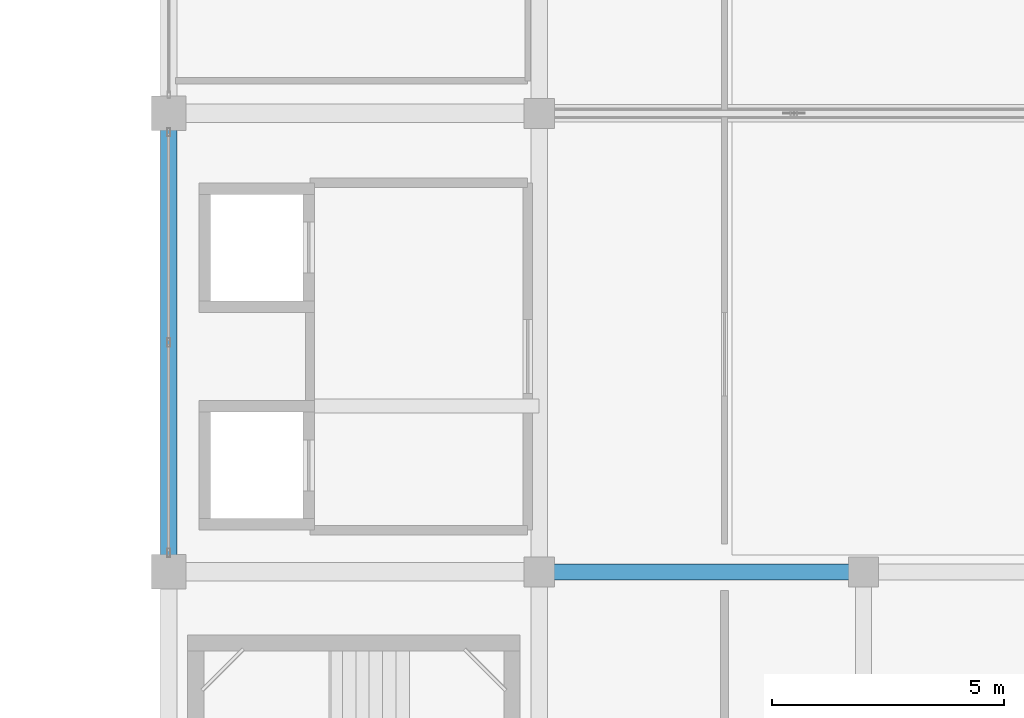
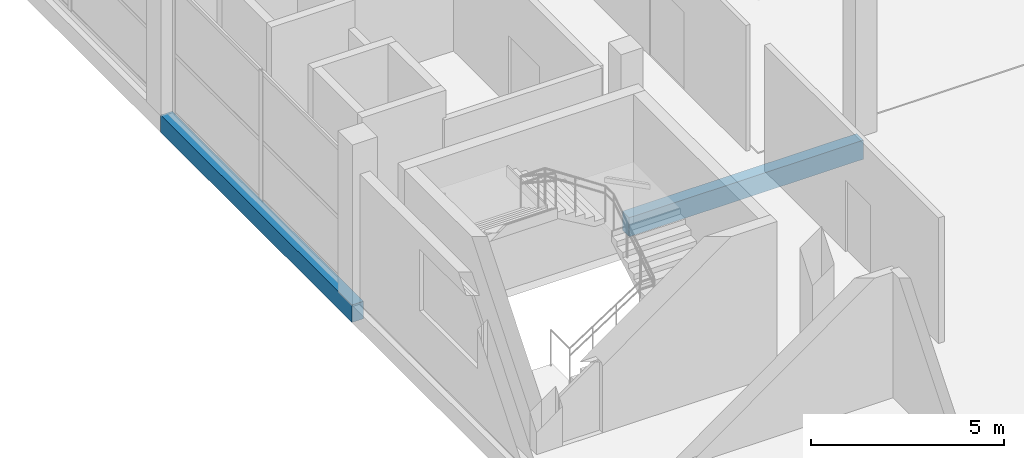
# One storey, part 7 of 67: 2 beams.
"""IFC4 building model written with IfcOpenShell, lengths in metres."""

from ifc_helpers import new_model, si_unit, direction, frame, origin, origin_2d, place, context, subcontext, project, spatial, rectangle, extrude, material, material_profile, profile_set, type_object, element, save


model = new_model("IFC4")

# Units and contexts
model_context = context("Model", 3, precision=1e-05, world=origin(), true_north=direction((0.0, 1.0)))
body_context = subcontext(model_context, "Body", "Model", "MODEL_VIEW")
ifc_project = project(units=[si_unit("LENGTHUNIT", "METRE"), si_unit("AREAUNIT", "SQUARE_METRE"), si_unit("VOLUMEUNIT", "CUBIC_METRE"), si_unit("PLANEANGLEUNIT", "RADIAN"), si_unit("MASSUNIT", "GRAM", prefix="KILO")], contexts=[model_context])

# Site, building, storey
site_placement = place(None, origin())
site = spatial("IfcSite", under=ifc_project, at=site_placement, CompositionType="ELEMENT")
building_placement = place(site_placement, origin())
building = spatial("IfcBuilding", under=site, at=building_placement, Name="Sillaruma Civic Art Gallery", CompositionType="ELEMENT")
storey_placement = place(building_placement, frame((0.0, 0.0, 46.919921875)))
storey = spatial("IfcBuildingStorey", under=building, at=storey_placement, Name="L09", CompositionType="ELEMENT", Elevation=46.919921875)

# Beams
ifc_material = material(Name="Concrete H35 (35 MPa)", Category="concrete")
ifc_material_profile_1 = material_profile(ifc_material, rectangle(XDim=0.35009765625, YDim=0.60009765625, at=origin_2d()), Name="RCB350x600")
ifc_profile_set_1 = profile_set([ifc_material_profile_1], Name="Concrete H35 (35 MPa)")
beam_type_1 = type_object("IfcBeamType", Name="BM-BEAM-RCB350x600", PredefinedType="BEAM", material=ifc_profile_set_1)
beam_1_placement = place(storey_placement, frame((70.0, 39.60009765625, -0.5498046875), z_axis=(1.0, 0.0, 0.0), x_axis=(0.0, 1.0, 0.0)))
element("IfcBeam", 1, at=beam_1_placement, inside=storey, type_object=beam_type_1, Name="Beam BM-06 (L08:5:G-H)", PredefinedType="BEAM", context=body_context, shape_type="SweptSolid", body=[
    extrude(rectangle(XDim=0.35009765625, YDim=0.60009765625, at=origin_2d()), origin(), (0.0, 0.0, 1.0), 7.0),
])
ifc_material_profile_2 = material_profile(ifc_material, rectangle(XDim=0.35009765625, YDim=0.550048828125, at=origin_2d()), Name="RCB350x550")
ifc_profile_set_2 = profile_set([ifc_material_profile_2], Name="Concrete H35 (35 MPa)")
beam_type_2 = type_object("IfcBeamType", Name="BM-SPANDREL-RCB350x550", PredefinedType="SPANDREL", material=ifc_profile_set_2)
beam_2_placement = place(storey_placement, frame((62.0, 39.60009765625, -0.52490234375), z_axis=(0.0, 1.0, 0.0), x_axis=(-1.0, 0.0, 0.0)))
element("IfcBeam", 2, at=beam_2_placement, inside=storey, type_object=beam_type_2, Name="Beam BS-04 (L08:F:5-6)", PredefinedType="SPANDREL", context=body_context, shape_type="SweptSolid", body=[
    extrude(rectangle(XDim=0.35009765625, YDim=0.550048828125, at=origin_2d()), origin(), (0.0, 0.0, 1.0), 9.89990234375),
])

save(model, "model.ifc")
